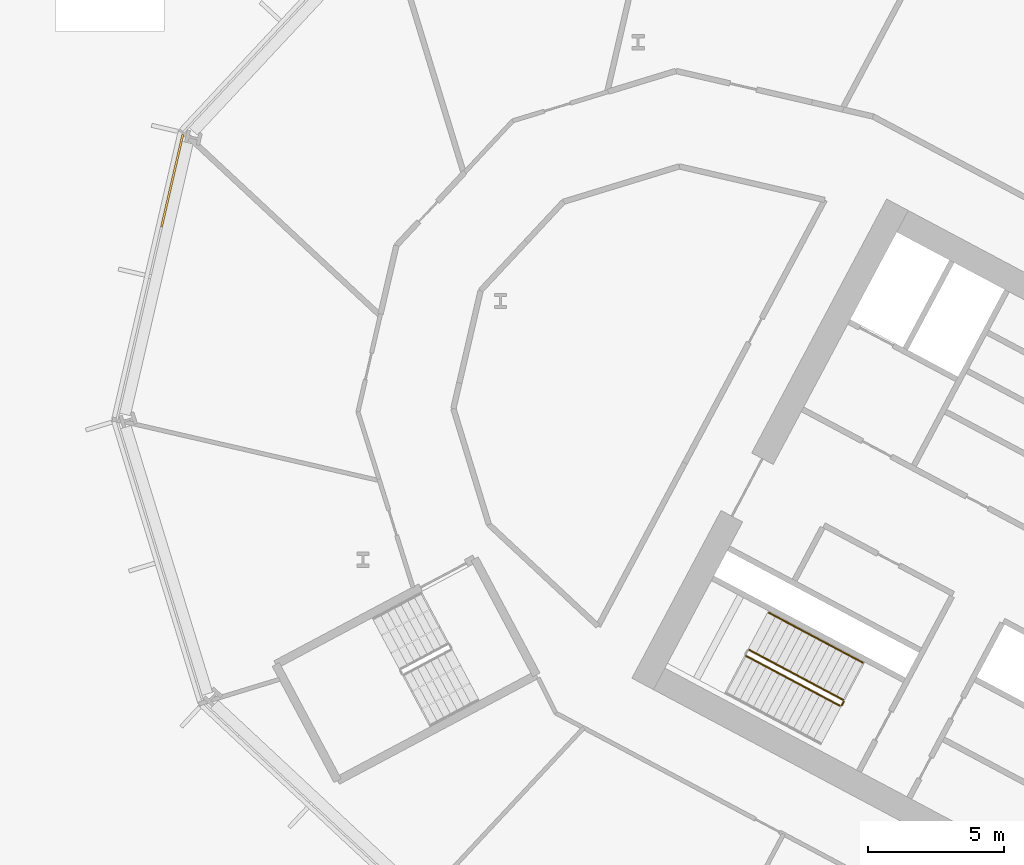
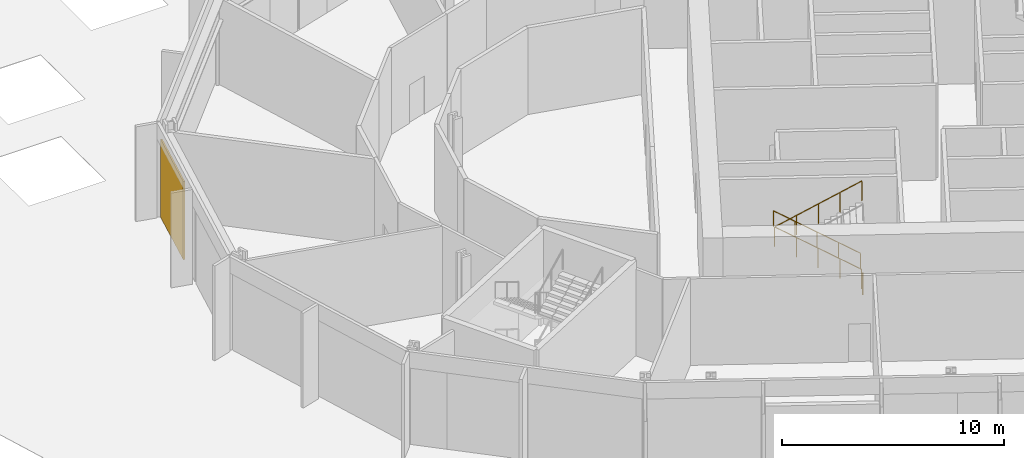
# One storey, part 22 of 30: 4 railings, 1 covering, 1 element without a shape of its own.
"""IFC4 building model written with IfcOpenShell, lengths in metres."""

from ifc_helpers import new_model, si_unit, direction, frame, origin, origin_2d, place, context, subcontext, project, spatial, polyline, rectangle, outline, extrude, material, layer, layer_set, type_object, element, aggregate, save


model = new_model("IFC4")

# Units and contexts
model_context = context("Model", 3, precision=1e-05, world=origin(), true_north=direction((0.0, 1.0)))
body_context = subcontext(model_context, "Body", "Model", "MODEL_VIEW")
ifc_project = project(units=[si_unit("LENGTHUNIT", "METRE"), si_unit("AREAUNIT", "SQUARE_METRE"), si_unit("VOLUMEUNIT", "CUBIC_METRE"), si_unit("PLANEANGLEUNIT", "RADIAN"), si_unit("MASSUNIT", "GRAM", prefix="KILO")], contexts=[model_context])

# Site, building, storey
site_placement = place(None, origin())
site = spatial("IfcSite", under=ifc_project, at=site_placement, CompositionType="ELEMENT")
building_placement = place(site_placement, origin())
building = spatial("IfcBuilding", under=site, at=building_placement, Name="Cormorant Relay Tower", CompositionType="ELEMENT")
storey_placement = place(building_placement, frame((0.0, 0.0, 7.0)))
storey = spatial("IfcBuildingStorey", under=building, at=storey_placement, Name="L01", CompositionType="ELEMENT", Elevation=7.0)

# Curtain wall, covering
ifc_material_1 = material(Name="Aluminium 6063-T6 anodised bronze", Category="aluminium")
ifc_layer_1 = layer(ifc_material_1, 0.235107421875)
ifc_layer_set_1 = layer_set([ifc_layer_1], Name="CW6 data hall curtain wall with mineral wool panels")
curtain_wall_type = type_object("IfcCurtainWallType", Name="CW6 data hall curtain wall with mineral wool panels", PredefinedType="NOTDEFINED", material=ifc_layer_set_1)
curtain_wall_placement = place(storey_placement, origin())
curtain_wall = element("IfcCurtainWall", 1, at=curtain_wall_placement, inside=storey, type_object=curtain_wall_type, Name="CW6 curtain wall 11", PredefinedType="NOTDEFINED")
ifc_material_2 = material(Name="Mineral wool cored anodised bronze aluminium cassette panel", Category="aluminium")
ifc_layer_2 = layer(ifc_material_2, 0.074951171875)
ifc_layer_set_2 = layer_set([ifc_layer_2], Name="CW6 mineral wool cassette panel 75")
covering_type = type_object("IfcCoveringType", Name="CW6 mineral wool cassette panel 75", PredefinedType="CLADDING", material=ifc_layer_set_2)
covering_placement = place(storey_placement, frame((-58.719970703125, 29.222412109375, 0.0), z_axis=(0.0, 0.0, 1.0), x_axis=(-0.224951054344, -0.974370064785, 0.0)))
covering = element("IfcCovering", 2, at=covering_placement, type_object=covering_type, Name="CW6 panel S00", PredefinedType="CLADDING", context=body_context, shape_type="SweptSolid", body=[
    extrude(rectangle(XDim=3.485107421875, YDim=0.074951171875, at=origin_2d()), origin(), (0.0, 0.0, 1.0), 4.300048828125),
])
aggregate(curtain_wall, [covering])

# Railings
ifc_material_3 = material(Name="Steel ASTM A572 Grade 50 (Fy 345 MPa)", Category="steel")
railing_type_1 = type_object("IfcRailingType", Name="Stair guard 1100", PredefinedType="GUARDRAIL", material=ifc_material_3)
railing_1_placement = place(storey_placement, frame((-33.9921875, 10.08935546875, 0.17333984375)))
element("IfcRailing", 3, at=railing_1_placement, inside=storey, type_object=railing_type_1, Name="L01 A2 stair guard 1", PredefinedType="GUARDRAIL", context=body_context, shape_type="SweptSolid", body=[
    extrude(outline(polyline([(0.022216796875, 0.00927734375), (0.00927734375, 0.022216796875), (-0.00927734375, 0.022216796875), (-0.022216796875, 0.00927734375), (-0.022216796875, -0.00927734375), (-0.00927734375, -0.022216796875), (0.00927734375, -0.022216796875), (0.022216796875, -0.00927734375), (0.022216796875, 0.00927734375)])), frame((0.0, 0.0, 1.076171875), z_axis=(-0.750734087475, 0.399170032545, 0.526366426571), x_axis=(-0.469469396681, -0.882948744594, 0.0)), (0.0, 0.0, 1.0), 4.6103515625),
    extrude(outline(polyline([(0.019287109375, 0.008056640625), (0.008056640625, 0.019287109375), (-0.008056640625, 0.019287109375), (-0.019287109375, 0.008056640625), (-0.019287109375, -0.008056640625), (-0.008056640625, -0.019287109375), (0.008056640625, -0.019287109375), (0.019287109375, -0.008056640625), (0.019287109375, 0.008056640625)])), origin(), (0.0, 0.0, 1.0), 1.052001953125),
    extrude(outline(polyline([(0.019287109375, 0.008056640625), (0.008056640625, 0.019287109375), (-0.008056640625, 0.019287109375), (-0.019287109375, 0.008056640625), (-0.019287109375, -0.008056640625), (-0.008056640625, -0.019287109375), (0.008056640625, -0.019287109375), (0.019287109375, -0.008056640625), (0.019287109375, 0.008056640625)])), frame((-0.865234375, 0.4599609375, 0.606689453125)), (0.0, 0.0, 1.0), 1.052001953125),
    extrude(outline(polyline([(0.019287109375, 0.008056640625), (0.008056640625, 0.019287109375), (-0.008056640625, 0.019287109375), (-0.019287109375, 0.008056640625), (-0.019287109375, -0.008056640625), (-0.008056640625, -0.019287109375), (0.008056640625, -0.019287109375), (0.019287109375, -0.008056640625), (0.019287109375, 0.008056640625)])), frame((-1.73046875, 0.920166015625, 1.21337890625)), (0.0, 0.0, 1.0), 1.052001953125),
    extrude(outline(polyline([(0.019287109375, 0.008056640625), (0.008056640625, 0.019287109375), (-0.008056640625, 0.019287109375), (-0.019287109375, 0.008056640625), (-0.019287109375, -0.008056640625), (-0.008056640625, -0.019287109375), (0.008056640625, -0.019287109375), (0.019287109375, -0.008056640625), (0.019287109375, 0.008056640625)])), frame((-2.595947265625, 1.38037109375, 1.820068359375)), (0.0, 0.0, 1.0), 1.052001953125),
    extrude(outline(polyline([(0.019287109375, 0.008056640625), (0.008056640625, 0.019287109375), (-0.008056640625, 0.019287109375), (-0.019287109375, 0.008056640625), (-0.019287109375, -0.008056640625), (-0.008056640625, -0.019287109375), (0.008056640625, -0.019287109375), (0.019287109375, -0.008056640625), (0.019287109375, 0.008056640625)])), frame((-3.461181640625, 1.84033203125, 2.4267578125)), (0.0, 0.0, 1.0), 1.052001953125),
])
railing_2_placement = place(storey_placement, frame((-37.57080078125, 11.708984375, 2.7734375)))
element("IfcRailing", 4, at=railing_2_placement, inside=storey, type_object=railing_type_1, Name="L01 A2 stair guard 3", PredefinedType="GUARDRAIL", context=body_context, shape_type="SweptSolid", body=[
    extrude(outline(polyline([(0.022216796875, 0.00927734375), (0.00927734375, 0.022216796875), (-0.00927734375, 0.022216796875), (-0.022216796875, 0.00927734375), (-0.022216796875, -0.00927734375), (-0.00927734375, -0.022216796875), (0.00927734375, -0.022216796875), (0.022216796875, -0.00927734375), (0.022216796875, 0.00927734375)])), frame((0.0, 0.0, 1.076171875), z_axis=(0.75075501281, -0.399181158677, 0.526328142225), x_axis=(0.469469396681, 0.882948744594, 0.0)), (0.0, 0.0, 1.0), 4.6103515625),
    extrude(outline(polyline([(0.019287109375, 0.008056640625), (0.008056640625, 0.019287109375), (-0.008056640625, 0.019287109375), (-0.019287109375, 0.008056640625), (-0.019287109375, -0.008056640625), (-0.008056640625, -0.019287109375), (0.008056640625, -0.019287109375), (0.019287109375, -0.008056640625), (0.019287109375, 0.008056640625)])), origin(), (0.0, 0.0, 1.0), 1.052001953125),
    extrude(outline(polyline([(0.019287109375, 0.008056640625), (0.008056640625, 0.019287109375), (-0.008056640625, 0.019287109375), (-0.019287109375, 0.008056640625), (-0.019287109375, -0.008056640625), (-0.008056640625, -0.019287109375), (0.008056640625, -0.019287109375), (0.019287109375, -0.008056640625), (0.019287109375, 0.008056640625)])), frame((0.865234375, -0.4599609375, 0.606689453125)), (0.0, 0.0, 1.0), 1.052001953125),
    extrude(outline(polyline([(0.019287109375, 0.008056640625), (0.008056640625, 0.019287109375), (-0.008056640625, 0.019287109375), (-0.019287109375, 0.008056640625), (-0.019287109375, -0.008056640625), (-0.008056640625, -0.019287109375), (0.008056640625, -0.019287109375), (0.019287109375, -0.008056640625), (0.019287109375, 0.008056640625)])), frame((1.73046875, -0.920166015625, 1.21337890625)), (0.0, 0.0, 1.0), 1.052001953125),
    extrude(outline(polyline([(0.019287109375, 0.008056640625), (0.008056640625, 0.019287109375), (-0.008056640625, 0.019287109375), (-0.019287109375, 0.008056640625), (-0.019287109375, -0.008056640625), (-0.008056640625, -0.019287109375), (0.008056640625, -0.019287109375), (0.019287109375, -0.008056640625), (0.019287109375, 0.008056640625)])), frame((2.595947265625, -1.38037109375, 1.81982421875)), (0.0, 0.0, 1.0), 1.052001953125),
    extrude(outline(polyline([(0.019287109375, 0.008056640625), (0.008056640625, 0.019287109375), (-0.008056640625, 0.019287109375), (-0.019287109375, 0.008056640625), (-0.019287109375, -0.008056640625), (-0.008056640625, -0.019287109375), (0.008056640625, -0.019287109375), (0.019287109375, -0.008056640625), (0.019287109375, 0.008056640625)])), frame((3.461181640625, -1.84033203125, 2.426513671875)), (0.0, 0.0, 1.0), 1.052001953125),
])
railing_3_placement = place(storey_placement, frame((-33.971435546875, 10.021728515625, 0.0)))
element("IfcRailing", 5, at=railing_3_placement, inside=storey, type_object=railing_type_1, Name="L01 A2 stair guard 4", PredefinedType="GUARDRAIL", context=body_context, shape_type="SweptSolid", body=[
    extrude(outline(polyline([(0.022216796875, 0.00927734375), (0.00927734375, 0.022216796875), (-0.00927734375, 0.022216796875), (-0.022216796875, 0.00927734375), (-0.022216796875, -0.00927734375), (-0.00927734375, -0.022216796875), (0.00927734375, -0.022216796875), (0.022216796875, -0.00927734375), (0.022216796875, 0.00927734375)])), frame((0.0, 0.0, 1.076171875), z_axis=(-0.470503732759, -0.882398003998, 0.0), x_axis=(0.882398003998, -0.470503732759, 0.0)), (0.0, 0.0, 1.0), 0.14990234375),
    extrude(outline(polyline([(0.019287109375, 0.008056640625), (0.008056640625, 0.019287109375), (-0.008056640625, 0.019287109375), (-0.019287109375, 0.008056640625), (-0.019287109375, -0.008056640625), (-0.008056640625, -0.019287109375), (0.008056640625, -0.019287109375), (0.019287109375, -0.008056640625), (0.019287109375, 0.008056640625)])), origin(), (0.0, 0.0, 1.0), 1.052001953125),
    extrude(outline(polyline([(0.019287109375, 0.008056640625), (0.008056640625, 0.019287109375), (-0.008056640625, 0.019287109375), (-0.019287109375, 0.008056640625), (-0.019287109375, -0.008056640625), (-0.008056640625, -0.019287109375), (0.008056640625, -0.019287109375), (0.019287109375, -0.008056640625), (0.019287109375, 0.008056640625)])), frame((-0.070556640625, -0.13232421875, 0.0)), (0.0, 0.0, 1.0), 1.052001953125),
])
ifc_material_4 = material(Name="Steel ASTM A572 Grade 50 (Fy 345 MPa)", Category="steel")
railing_type_2 = type_object("IfcRailingType", Name="Stair handrail 900", PredefinedType="HANDRAIL", material=ifc_material_4)
railing_4_placement = place(storey_placement, frame((-33.264404296875, 11.4580078125, 0.17333984375)))
element("IfcRailing", 6, at=railing_4_placement, inside=storey, type_object=railing_type_2, Name="L01 A2 stair handrail 1", PredefinedType="HANDRAIL", context=body_context, shape_type="SweptSolid", body=[
    extrude(outline(polyline([(0.022216796875, 0.00927734375), (0.00927734375, 0.022216796875), (-0.00927734375, 0.022216796875), (-0.022216796875, 0.00927734375), (-0.022216796875, -0.00927734375), (-0.00927734375, -0.022216796875), (0.00927734375, -0.022216796875), (0.022216796875, -0.00927734375), (0.022216796875, 0.00927734375)])), frame((0.0, 0.0, 0.8759765625), z_axis=(-0.750734087475, 0.399170032545, 0.526366426571), x_axis=(-0.469469396681, -0.882948744594, 0.0)), (0.0, 0.0, 1.0), 4.6103515625),
    extrude(outline(polyline([(0.019287109375, 0.008056640625), (0.008056640625, 0.019287109375), (-0.008056640625, 0.019287109375), (-0.019287109375, 0.008056640625), (-0.019287109375, -0.008056640625), (-0.008056640625, -0.019287109375), (0.008056640625, -0.019287109375), (0.019287109375, -0.008056640625), (0.019287109375, 0.008056640625)])), origin(), (0.0, 0.0, 1.0), 0.851806640625),
    extrude(outline(polyline([(0.019287109375, 0.008056640625), (0.008056640625, 0.019287109375), (-0.008056640625, 0.019287109375), (-0.019287109375, 0.008056640625), (-0.019287109375, -0.008056640625), (-0.008056640625, -0.019287109375), (0.008056640625, -0.019287109375), (0.019287109375, -0.008056640625), (0.019287109375, 0.008056640625)])), frame((-0.865234375, 0.4599609375, 0.606689453125)), (0.0, 0.0, 1.0), 0.851806640625),
    extrude(outline(polyline([(0.019287109375, 0.008056640625), (0.008056640625, 0.019287109375), (-0.008056640625, 0.019287109375), (-0.019287109375, 0.008056640625), (-0.019287109375, -0.008056640625), (-0.008056640625, -0.019287109375), (0.008056640625, -0.019287109375), (0.019287109375, -0.008056640625), (0.019287109375, 0.008056640625)])), frame((-1.73046875, 0.920166015625, 1.21337890625)), (0.0, 0.0, 1.0), 0.851806640625),
    extrude(outline(polyline([(0.019287109375, 0.008056640625), (0.008056640625, 0.019287109375), (-0.008056640625, 0.019287109375), (-0.019287109375, 0.008056640625), (-0.019287109375, -0.008056640625), (-0.008056640625, -0.019287109375), (0.008056640625, -0.019287109375), (0.019287109375, -0.008056640625), (0.019287109375, 0.008056640625)])), frame((-2.595947265625, 1.38037109375, 1.820068359375)), (0.0, 0.0, 1.0), 0.851806640625),
    extrude(outline(polyline([(0.019287109375, 0.008056640625), (0.008056640625, 0.019287109375), (-0.008056640625, 0.019287109375), (-0.019287109375, 0.008056640625), (-0.019287109375, -0.008056640625), (-0.008056640625, -0.019287109375), (0.008056640625, -0.019287109375), (0.019287109375, -0.008056640625), (0.019287109375, 0.008056640625)])), frame((-3.461181640625, 1.84033203125, 2.4267578125)), (0.0, 0.0, 1.0), 0.851806640625),
])

save(model, "model.ifc")
